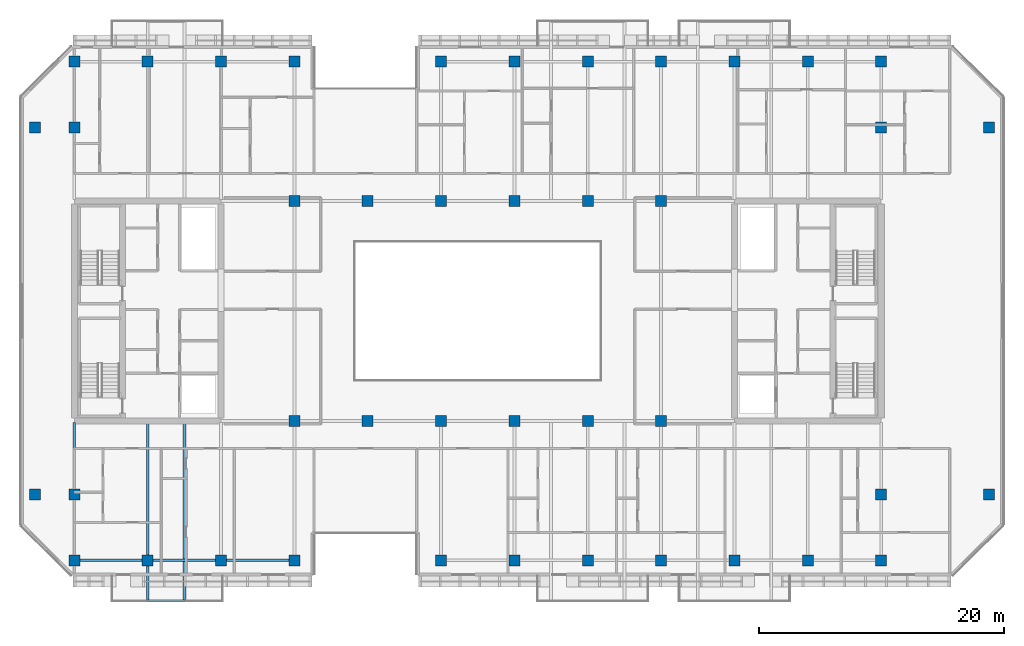
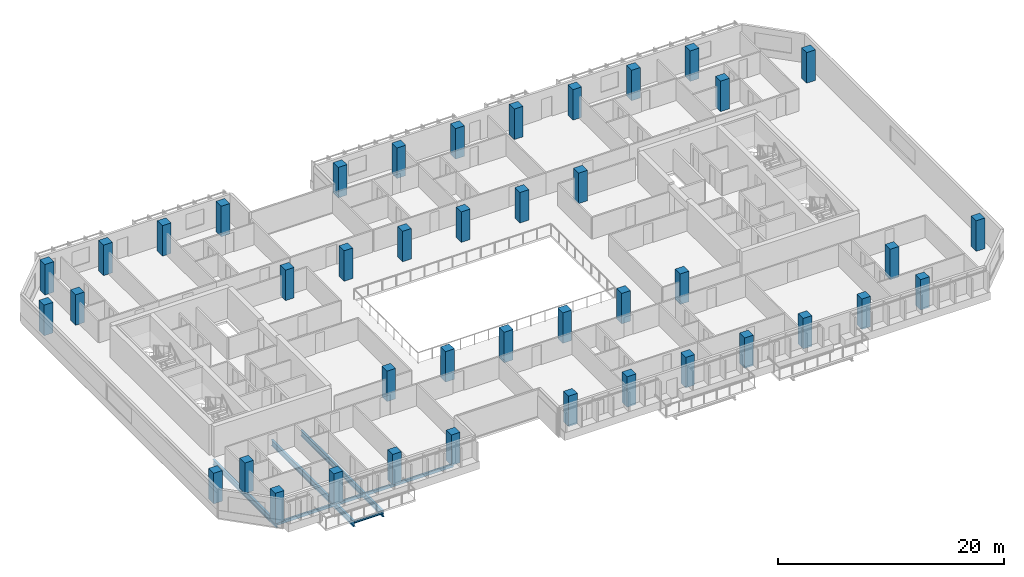
# One storey, part 1 of 20: 42 columns, 7 beams.
"""IFC4 building model written with IfcOpenShell, lengths in metres."""

from ifc_helpers import new_model, si_unit, direction, frame, origin, origin_2d, place, context, subcontext, project, spatial, rectangle, hollow_rectangle, i_section, extrude, material, material_profile, profile_set, type_object, element, save


model = new_model("IFC4")

# Units and contexts
model_context = context("Model", 3, precision=1e-05, world=origin(), true_north=direction((0.0, 1.0)))
body_context = subcontext(model_context, "Body", "Model", "MODEL_VIEW")
ifc_project = project(units=[si_unit("LENGTHUNIT", "METRE"), si_unit("AREAUNIT", "SQUARE_METRE"), si_unit("VOLUMEUNIT", "CUBIC_METRE"), si_unit("PLANEANGLEUNIT", "RADIAN"), si_unit("MASSUNIT", "GRAM", prefix="KILO")], contexts=[model_context])

# Site, building, storey
site_placement = place(None, origin())
site = spatial("IfcSite", under=ifc_project, at=site_placement, CompositionType="ELEMENT")
building_placement = place(site_placement, origin())
building = spatial("IfcBuilding", under=site, at=building_placement, Name="Tanjung Sevakor Pilgrim Tower", CompositionType="ELEMENT")
storey_placement = place(building_placement, frame((0.0, 0.0, 141.89990234375)))
storey = spatial("IfcBuildingStorey", under=building, at=storey_placement, Name="L39", CompositionType="ELEMENT", Elevation=141.89990234375)

# Columns
ifc_material_1 = material(Name="Concrete C60/75", Category="concrete")
ifc_material_profile_1 = material_profile(ifc_material_1, rectangle(XDim=0.89990234375, YDim=0.89990234375, at=origin_2d()))
ifc_profile_set_1 = profile_set([ifc_material_profile_1], Name="Concrete C60/75")
column_type = type_object("IfcColumnType", Name="COL-C-T900-RC_900x900", PredefinedType="COLUMN", material=ifc_profile_set_1)
for number, where, z_axis, x_axis, name in (
    (1, (42.0, 24.60009765625, 0.0), (0.0, 0.0, 1.0), (1.0, 0.0, 0.0), "L39 Column SPW-042-246"),
    (2, (42.0, 42.60009765625, 0.0), (0.0, 0.0, 1.0), (1.0, 0.0, 0.0), "L39 Column SPW-042-426"),
    (3, (48.0, 24.60009765625, 0.0), (0.0, 0.0, 1.0), (1.0, 0.0, 0.0), "L39 Column SPW-048-246"),
    (4, (48.0, 42.60009765625, 0.0), (0.0, 0.0, 1.0), (1.0, 0.0, 0.0), "L39 Column SPW-048-426"),
    (5, (54.0, 24.60009765625, 0.0), (0.0, 0.0, 1.0), (1.0, 0.0, 0.0), "L39 Column SPE-054-246"),
    (6, (54.0, 42.60009765625, 0.0), (0.0, 0.0, 1.0), (1.0, 0.0, 0.0), "L39 Column SPE-054-426"),
    (7, (60.0, 24.60009765625, 0.0), (0.0, 0.0, 1.0), (1.0, 0.0, 0.0), "L39 Column SPE-060-246"),
    (8, (60.0, 42.60009765625, 0.0), (0.0, 0.0, 1.0), (1.0, 0.0, 0.0), "L39 Column SPE-060-426"),
    (9, (66.0, 24.60009765625, 0.0), (0.0, 0.0, 1.0), (1.0, 0.0, 0.0), "L39 Column SPE-066-246"),
    (10, (66.0, 42.60009765625, 0.0), (0.0, 0.0, 1.0), (1.0, 0.0, 0.0), "L39 Column SPE-066-426"),
    (11, (72.0, 24.60009765625, 0.0), (0.0, 0.0, 1.0), (1.0, 0.0, 0.0), "L39 Column SPE-072-246"),
    (12, (72.0, 42.60009765625, 0.0), (0.0, 0.0, 1.0), (1.0, 0.0, 0.0), "L39 Column SPE-072-426"),
    (13, (20.800048828125, 18.60009765625, 0.0), (0.0, 0.0, 1.0), (1.0, 0.0, 0.0), "L39 Column TCE-0208-186"),
    (14, (20.800048828125, 48.60009765625, 0.0), (0.0, 0.0, 1.0), (1.0, 0.0, 0.0), "L39 Column TCE-0208-486"),
    (15, (24.0, 18.60009765625, 0.0), (0.0, 0.0, 1.0), (1.0, 0.0, 0.0), "L39 Column TCE-0240-186"),
    (16, (24.0, 48.60009765625, 0.0), (0.0, 0.0, 1.0), (1.0, 0.0, 0.0), "L39 Column TCE-0240-486"),
    (17, (90.0, 18.60009765625, 0.0), (0.0, 0.0, 1.0), (1.0, 0.0, 0.0), "L39 Column TCE-0900-186"),
    (18, (90.0, 48.60009765625, 0.0), (0.0, 0.0, 1.0), (1.0, 0.0, 0.0), "L39 Column TCE-0900-486"),
    (19, (98.800048828125, 18.60009765625, 0.0), (0.0, 0.0, 1.0), (1.0, 0.0, 0.0), "L39 Column TCE-0988-186"),
    (20, (98.800048828125, 48.60009765625, 0.0), (0.0, 0.0, 1.0), (1.0, 0.0, 0.0), "L39 Column TCE-0988-486"),
    (21, (24.0, 13.199951171875, 0.0), (0.0, 0.0, 1.0), (1.0, 0.0, 0.0), "L39 Column TC3-024-132"),
    (22, (24.0, 54.0, 0.0), (0.0, 0.0, 1.0), (1.0, 0.0, 0.0), "L39 Column TC3-024-540"),
    (23, (30.0, 13.199951171875, 0.0), (0.0, 0.0, 1.0), (1.0, 0.0, 0.0), "L39 Column TC3-030-132"),
    (24, (30.0, 54.0, 0.0), (0.0, 0.0, 1.0), (1.0, 0.0, 0.0), "L39 Column TC3-030-540"),
    (25, (36.0, 13.199951171875, 0.0), (0.0, 0.0, 1.0), (1.0, 0.0, 0.0), "L39 Column TC3-036-132"),
    (26, (36.0, 54.0, 0.0), (0.0, 0.0, 1.0), (1.0, 0.0, 0.0), "L39 Column TC3-036-540"),
    (27, (42.0, 13.199951171875, 0.0), (0.0, 0.0, 1.0), (1.0, 0.0, 0.0), "L39 Column TC3-042-132"),
    (28, (42.0, 54.0, 0.0), (0.0, 0.0, 1.0), (1.0, 0.0, 0.0), "L39 Column TC3-042-540"),
    (29, (54.0, 13.199951171875, 0.0), (0.0, 0.0, 1.0), (1.0, 0.0, 0.0), "L39 Column TC3-054-132"),
    (30, (54.0, 54.0, 0.0), (0.0, 0.0, 1.0), (1.0, 0.0, 0.0), "L39 Column TC3-054-540"),
    (31, (60.0, 13.199951171875, 0.0), (0.0, 0.0, 1.0), (1.0, 0.0, 0.0), "L39 Column TC3-060-132"),
    (32, (60.0, 54.0, 0.0), (0.0, 0.0, 1.0), (1.0, 0.0, 0.0), "L39 Column TC3-060-540"),
    (33, (66.0, 13.199951171875, 0.0), (0.0, 0.0, 1.0), (1.0, 0.0, 0.0), "L39 Column TC3-066-132"),
    (34, (66.0, 54.0, 0.0), (0.0, 0.0, 1.0), (1.0, 0.0, 0.0), "L39 Column TC3-066-540"),
    (35, (72.0, 13.199951171875, 0.0), (0.0, 0.0, 1.0), (1.0, 0.0, 0.0), "L39 Column TC3-072-132"),
    (36, (72.0, 54.0, 0.0), (0.0, 0.0, 1.0), (1.0, 0.0, 0.0), "L39 Column TC3-072-540"),
    (37, (78.0, 13.199951171875, 0.0), (0.0, 0.0, 1.0), (1.0, 0.0, 0.0), "L39 Column TC3-078-132"),
    (38, (78.0, 54.0, 0.0), (0.0, 0.0, 1.0), (1.0, 0.0, 0.0), "L39 Column TC3-078-540"),
    (39, (84.0, 13.199951171875, 0.0), (0.0, 0.0, 1.0), (1.0, 0.0, 0.0), "L39 Column TC3-084-132"),
    (40, (84.0, 54.0, 0.0), (0.0, 0.0, 1.0), (1.0, 0.0, 0.0), "L39 Column TC3-084-540"),
    (41, (90.0, 13.199951171875, 0.0), (0.0, 0.0, 1.0), (1.0, 0.0, 0.0), "L39 Column TC3-090-132"),
    (42, (90.0, 54.0, 0.0), (0.0, 0.0, 1.0), (1.0, 0.0, 0.0), "L39 Column TC3-090-540"),
):
    element("IfcColumn", number, at=place(storey_placement, frame(where, z_axis=z_axis, x_axis=x_axis)), inside=storey, type_object=column_type, Name=name, PredefinedType="COLUMN", context=body_context, shape_type="SweptSolid", body=[
        extrude(rectangle(XDim=0.89990234375, YDim=0.89990234375, at=origin_2d()), origin(), (0.0, 0.0, 1.0), 3.300048828125),
    ])

# Beams
ifc_material_2 = material(Name="Steel S355J2", Category="steel")
ifc_material_profile_2 = material_profile(ifc_material_2, i_section(OverallWidth=0.22900390625, OverallDepth=0.6123046875, WebThickness=0.011962890625, FlangeThickness=0.01953125, FilletRadius=0.0126953125, at=origin_2d()))
ifc_profile_set_2 = profile_set([ifc_material_profile_2], Name="Steel S355J2")
beam_type_1 = type_object("IfcBeamType", Name="BM-B-G4-UB_610x229x125", PredefinedType="BEAM", material=ifc_profile_set_2)
beam_1_placement = place(storey_placement, frame((24.0, 13.199951171875, -0.526123046875), z_axis=(0.0, 1.0, 0.0), x_axis=(-1.0, 0.0, 0.0)))
element("IfcBeam", 43, at=beam_1_placement, inside=storey, type_object=beam_type_1, Name="L39 MAIN Girder 001", PredefinedType="BEAM", context=body_context, shape_type="SweptSolid", body=[
    extrude(i_section(OverallWidth=0.22900390625, OverallDepth=0.6123046875, WebThickness=0.011962890625, FlangeThickness=0.01953125, FilletRadius=0.0126953125, at=origin_2d()), origin(), (0.0, 0.0, 1.0), 11.284912109375),
])
for number, where, z_axis, x_axis, name in (
    (44, (30.0, 24.48486328125, -0.526123046875), (0.0, -1.0, 0.0), (1.0, 0.0, 0.0), "L39 Balcony Cantilever Beam MAIN-S1-1"),
    (45, (33.0, 24.48486328125, -0.526123046875), (0.0, -1.0, 0.0), (1.0, 0.0, 0.0), "L39 Balcony Cantilever Beam MAIN-S1-2"),
):
    element("IfcBeam", number, at=place(storey_placement, frame(where, z_axis=z_axis, x_axis=x_axis)), inside=storey, type_object=beam_type_1, Name=name, PredefinedType="BEAM", context=body_context, shape_type="SweptSolid", body=[
        extrude(i_section(OverallWidth=0.22900390625, OverallDepth=0.6123046875, WebThickness=0.011962890625, FlangeThickness=0.01953125, FilletRadius=0.0126953125, at=origin_2d()), origin(), (0.0, 0.0, 1.0), 14.56494140625),
    ])
ifc_material_3 = material(Name="Steel S355J2", Category="steel")
ifc_material_profile_3 = material_profile(ifc_material_3, i_section(OverallWidth=0.146484375, OverallDepth=0.256103515625, WebThickness=0.00634765625, FlangeThickness=0.010986328125, FilletRadius=0.007568359375, at=origin_2d()))
ifc_profile_set_3 = profile_set([ifc_material_profile_3], Name="Steel S355J2")
beam_type_2 = type_object("IfcBeamType", Name="BM-B-J6-UB_254x146x37", PredefinedType="JOIST", material=ifc_profile_set_3)
beam_2_placement = place(storey_placement, frame((30.0, 9.919921875, -0.327880859375), z_axis=(1.0, 0.0, 0.0), x_axis=(0.0, 1.0, 0.0)))
element("IfcBeam", 46, at=beam_2_placement, inside=storey, type_object=beam_type_2, Name="L39 Balcony Rim Tie MAIN-S1", PredefinedType="JOIST", context=body_context, shape_type="SweptSolid", body=[
    extrude(i_section(OverallWidth=0.146484375, OverallDepth=0.256103515625, WebThickness=0.00634765625, FlangeThickness=0.010986328125, FilletRadius=0.007568359375, at=origin_2d()), origin(), (0.0, 0.0, 1.0), 3.0),
])
ifc_material_4 = material(Name="Steel S355J2", Category="steel")
ifc_material_profile_4 = material_profile(ifc_material_4, hollow_rectangle(XDim=0.199951171875, YDim=0.300048828125, WallThickness=0.012451171875, at=origin_2d()))
ifc_profile_set_4 = profile_set([ifc_material_profile_4], Name="Steel S355J2")
beam_type_3 = type_object("IfcBeamType", Name="BM-B-SP3-RHS_300x200x12.5", PredefinedType="SPANDREL", material=ifc_profile_set_4)
for number, where, z_axis, x_axis, name in (
    (47, (24.0, 13.199951171875, -0.369873046875), (1.0, 0.0, 0.0), (0.0, 1.0, 0.0), "L39 Spandrel MAIN S-01"),
    (48, (30.0, 13.199951171875, -0.369873046875), (1.0, 0.0, 0.0), (0.0, 1.0, 0.0), "L39 Spandrel MAIN S-03"),
    (49, (36.0, 13.199951171875, -0.369873046875), (1.0, 0.0, 0.0), (0.0, 1.0, 0.0), "L39 Spandrel MAIN S-05"),
):
    element("IfcBeam", number, at=place(storey_placement, frame(where, z_axis=z_axis, x_axis=x_axis)), inside=storey, type_object=beam_type_3, Name=name, PredefinedType="SPANDREL", context=body_context, shape_type="SweptSolid", body=[
        extrude(hollow_rectangle(XDim=0.199951171875, YDim=0.300048828125, WallThickness=0.012451171875, at=origin_2d()), origin(), (0.0, 0.0, 1.0), 6.0),
    ])

save(model, "model.ifc")
